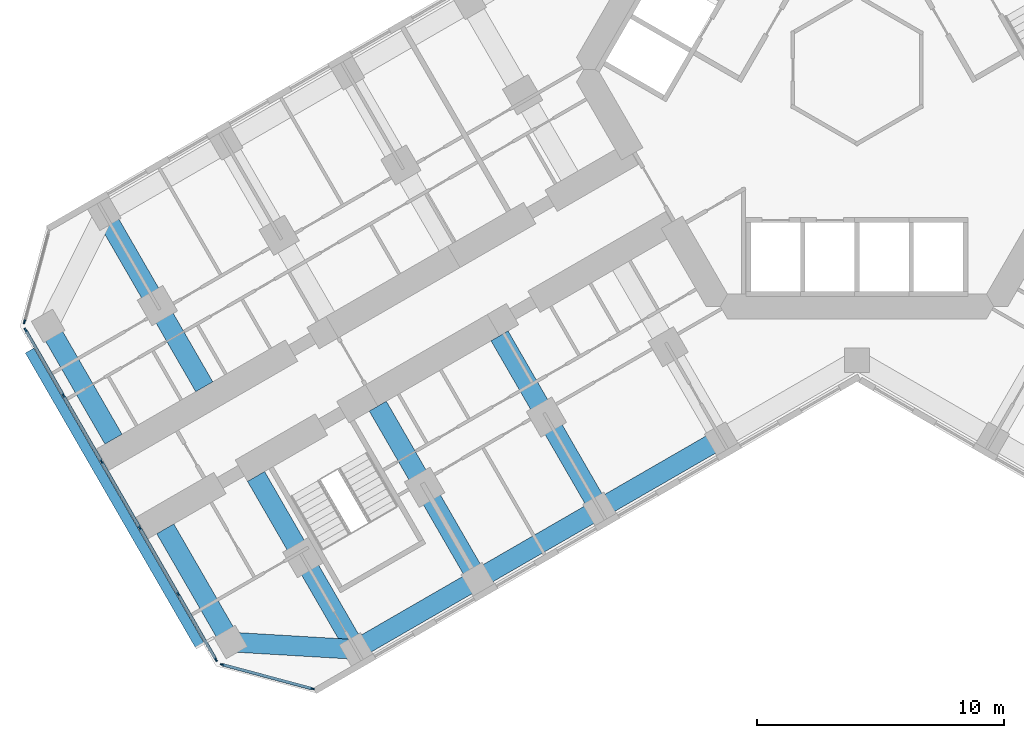
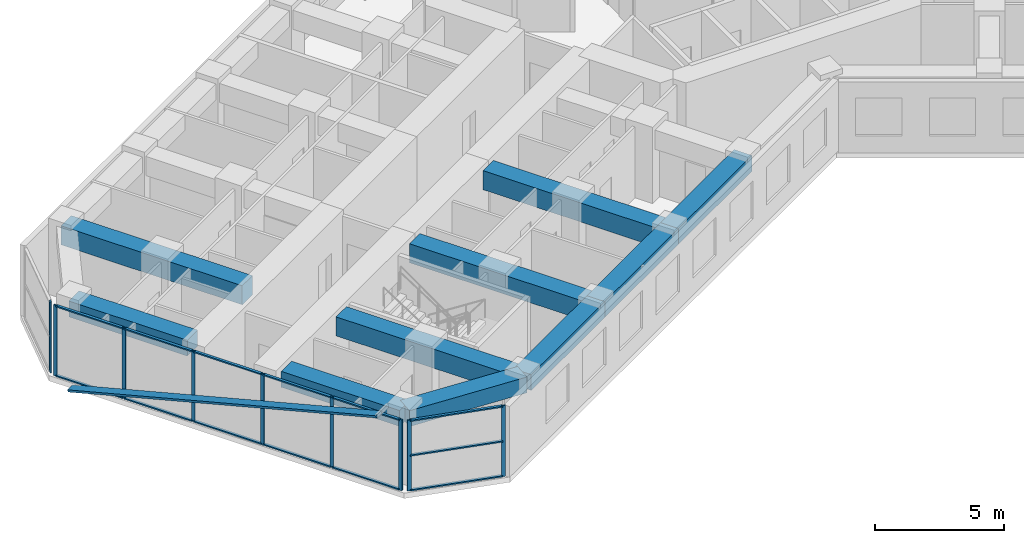
# One storey, part 2 of 21: 23 members, 10 beams, 3 elements without a shape of their own.
"""IFC4 building model written with IfcOpenShell, lengths in metres."""

import ifcopenshell
import ifcopenshell.guid

model = None  # the IFC model being written
_history = None  # IfcOwnerHistory: only IFC2X3 demands one
_inside = {}  # id of a spatial element -> (the spatial element, [elements in it])
_under = {}  # id of a project, library or spatial element -> (it, [spatial elements below it])
_declared = {}  # id of a project -> (the project, [libraries it declares])
_typed = {}  # id of a type object -> (the type object, [elements of that type])
_made_of = {}  # id of a material, layer set ... -> (it, [elements and type objects made of it])


def new_model(schema):
    """Start an empty IFC model of exactly this schema.

    Asked for "IFC4X3", IfcOpenShell would pick the latest addendum, in which some entities
    have other attributes; the version numbers below select the first issue.
    IFC2X3 requires an IfcOwnerHistory on every rooted entity: one is made here for all.
    """
    global model, _history
    if schema == "IFC4X3":
        model = ifcopenshell.file(schema_version=(4, 3, 0, 0))
    else:
        model = ifcopenshell.file(schema=schema)
    _inside.clear()
    _under.clear()
    _declared.clear()
    _typed.clear()
    _made_of.clear()
    _history = None
    if model.schema == "IFC2X3":
        org = make("IfcOrganization", Name="unknown")
        user = make(
            "IfcPersonAndOrganization",
            ThePerson=make("IfcPerson", FamilyName="unknown"),
            TheOrganization=org,
        )
        app = make(
            "IfcApplication",
            ApplicationDeveloper=org,
            Version="unknown",
            ApplicationFullName="unknown",
            ApplicationIdentifier="unknown",
        )
        _history = make(
            "IfcOwnerHistory",
            OwningUser=user,
            OwningApplication=app,
            ChangeAction="ADDED",
            CreationDate=0,
        )
    return model


def make(cls, **values):
    """One entity of the class cls with the attributes given. An attribute that is None is left unset."""
    return model.create_entity(
        cls, **{name: value for name, value in values.items() if value is not None}
    )


def rooted(cls, **values):
    """An entity with a GlobalId (a new one), such as an element, a storey or a relation."""
    return make(cls, GlobalId=ifcopenshell.guid.new(), OwnerHistory=_history, **values)


def si_unit(unit_type, name, prefix=None):
    """IfcSIUnit, for example si_unit("LENGTHUNIT", "METRE", prefix="MILLI")."""
    return make("IfcSIUnit", UnitType=unit_type, Prefix=prefix, Name=name)


def assignment(units):
    """IfcUnitAssignment: the units of a project."""
    return None if units is None else make("IfcUnitAssignment", Units=units)


def point(xyz):
    """IfcCartesianPoint."""
    return None if xyz is None else make("IfcCartesianPoint", Coordinates=xyz)


def direction(xyz):
    """IfcDirection."""
    return None if xyz is None else make("IfcDirection", DirectionRatios=xyz)


def frame(location, z_axis=None, x_axis=None):
    """IfcAxis2Placement3D, a coordinate frame: its origin and axes. An axis left out is left unset."""
    return make(
        "IfcAxis2Placement3D",
        Location=point(location),
        Axis=direction(z_axis),
        RefDirection=direction(x_axis),
    )


def frame_2d(location, x_axis=None):
    """IfcAxis2Placement2D, a coordinate frame in the plane: its origin and x axis."""
    return make(
        "IfcAxis2Placement2D", Location=point(location), RefDirection=direction(x_axis)
    )


def origin():
    """The frame at (0, 0, 0) with its axes left unset."""
    return frame((0.0, 0.0, 0.0))


def origin_2d():
    """The frame at (0, 0) in the plane with its x axis left unset."""
    return frame_2d((0.0, 0.0))


def place(relative_to, where):
    """IfcLocalPlacement: puts the frame where relative to a parent placement (None: the world)."""
    return make(
        "IfcLocalPlacement", PlacementRelTo=relative_to, RelativePlacement=where
    )


def context(
    kind, dimensions, precision=None, world=None, true_north=None, identifier=None
):
    """IfcGeometricRepresentationContext, for example the 3D "Model" context."""
    return make(
        "IfcGeometricRepresentationContext",
        ContextIdentifier=identifier,
        ContextType=kind,
        CoordinateSpaceDimension=dimensions,
        Precision=precision,
        WorldCoordinateSystem=world,
        TrueNorth=true_north,
    )


def subcontext(parent, identifier, kind, view, scale=None):
    """IfcGeometricRepresentationSubContext, for example "Body" below "Model"."""
    return make(
        "IfcGeometricRepresentationSubContext",
        ContextIdentifier=identifier,
        ContextType=kind,
        ParentContext=parent,
        TargetScale=scale,
        TargetView=view,
    )


def project(units=None, contexts=None):
    """IfcProject with its units and contexts."""
    return rooted(
        "IfcProject",
        Name="project",
        RepresentationContexts=contexts,
        UnitsInContext=assignment(units),
    )


def spatial(cls, under=None, at=None, **own):
    """A site, building, storey or space (cls), placed at a placement, below another one or the project."""
    s = rooted(cls, ObjectPlacement=at, **own)
    if under is not None:
        _under.setdefault(under.id(), (under, []))[1].append(s)
    return s


def profile(cls, at=None, kind="AREA", **sizes):
    """A parametric profile (cls). Its sizes go by their IFC names, for example OverallWidth=200.0."""
    return make(cls, ProfileType=kind, Position=at, **sizes)


def rectangle(**sizes):
    """IfcRectangleProfileDef."""
    return profile("IfcRectangleProfileDef", **sizes)


def extrude(swept, where, along, depth):
    """IfcExtrudedAreaSolid: the profile swept, set in the frame where, extruded along a direction by depth."""
    return make(
        "IfcExtrudedAreaSolid",
        SweptArea=swept,
        Position=where,
        ExtrudedDirection=direction(along),
        Depth=depth,
    )


def shape(context_of_items, identifier, shape_type, items):
    """IfcShapeRepresentation: the items that make up one representation, for example the "Body"."""
    return make(
        "IfcShapeRepresentation",
        ContextOfItems=context_of_items,
        RepresentationIdentifier=identifier,
        RepresentationType=shape_type,
        Items=items,
    )


def material(Name=None, Category=None):
    """IfcMaterial."""
    return make("IfcMaterial", Name=Name, Category=Category)


def material_profile(
    of_material, cross_section, Name=None, Category=None, Priority=None
):
    """IfcMaterialProfile: a cross section and its material."""
    return make(
        "IfcMaterialProfile",
        Name=Name,
        Material=of_material,
        Profile=cross_section,
        Priority=Priority,
        Category=Category,
    )


def profile_set(profiles, Name=None, composite=None):
    """IfcMaterialProfileSet."""
    return make(
        "IfcMaterialProfileSet",
        Name=Name,
        MaterialProfiles=profiles,
        CompositeProfile=composite,
    )


def made_of(thing, what):
    """Note that an element or type object is made of a material, layer set ...; save() writes the relation."""
    if what is not None:
        _made_of.setdefault(what.id(), (what, []))[1].append(thing)
    return thing


def type_object(cls, material=None, **own):
    """A type object (cls), such as IfcWallType, which elements share."""
    return made_of(rooted(cls, **own), material)


def element(
    cls,
    number,
    at=None,
    inside=None,
    cuts=None,
    type_object=None,
    material=None,
    context=None,
    identifier="Body",
    shape_type=None,
    held_by="IfcProductDefinitionShape",
    body=None,
    shapes=None,
    **own,
):
    """One element of the class cls, such as IfcWall. Its Tag is "e" and its number.

    at: its placement. inside: the storey or other place that contains it. cuts: it is an
    opening in that element (IfcRelVoidsElement). A single representation is given by context,
    identifier, shape_type and body (its items); several are given by shapes. held_by: the class
    of the entity that holds the representations. save() writes the other relations.
    """
    e = rooted(cls, Tag="e%d" % number, ObjectPlacement=at, **own)
    if body is not None:
        shapes = [shape(context, identifier, shape_type, body)]
    if shapes is not None:
        e.Representation = make(held_by, Representations=shapes)
    if inside is not None:
        _inside.setdefault(inside.id(), (inside, []))[1].append(e)
    if cuts is not None:
        rooted(
            "IfcRelVoidsElement", RelatingBuildingElement=cuts, RelatedOpeningElement=e
        )
    if type_object is not None:
        _typed.setdefault(type_object.id(), (type_object, []))[1].append(e)
    return made_of(e, material)


def aggregate(whole, parts):
    """IfcRelAggregates: a whole, such as a stair, and the parts it consists of."""
    return rooted("IfcRelAggregates", RelatingObject=whole, RelatedObjects=parts)


def save(model, path):
    """Write the relations noted so far, then the file.

    IfcRelAggregates (storeys below a building ...), IfcRelContainedInSpatialStructure (elements
    in a storey), IfcRelDefinesByType, IfcRelAssociatesMaterial and IfcRelDeclares: one each for
    every whole, place, type object, material and project.
    """
    for whole, parts in _under.values():
        aggregate(whole, parts)
    for where, things in _inside.values():
        rooted(
            "IfcRelContainedInSpatialStructure",
            RelatedElements=things,
            RelatingStructure=where,
        )
    for kind, things in _typed.values():
        rooted("IfcRelDefinesByType", RelatedObjects=things, RelatingType=kind)
    for what, things in _made_of.values():
        rooted("IfcRelAssociatesMaterial", RelatedObjects=things, RelatingMaterial=what)
    for by, libraries in _declared.values():
        rooted("IfcRelDeclares", RelatingContext=by, RelatedDefinitions=libraries)
    model.write(path)


model = new_model("IFC4")

# Units and contexts
model_context = context("Model", 3, precision=1e-05, world=origin(), true_north=direction((0.0, 1.0)))
body_context = subcontext(model_context, "Body", "Model", "MODEL_VIEW")
ifc_project = project(units=[si_unit("LENGTHUNIT", "METRE"), si_unit("AREAUNIT", "SQUARE_METRE"), si_unit("VOLUMEUNIT", "CUBIC_METRE"), si_unit("PLANEANGLEUNIT", "RADIAN"), si_unit("MASSUNIT", "GRAM", prefix="KILO")], contexts=[model_context])

# Site, building, storey
site_placement = place(None, origin())
site = spatial("IfcSite", under=ifc_project, at=site_placement, CompositionType="ELEMENT")
building_placement = place(site_placement, origin())
building = spatial("IfcBuilding", under=site, at=building_placement, Name="Kosmar Iwan School Tower", CompositionType="ELEMENT")
storey_placement = place(building_placement, frame((0.0, 0.0, 46.60009765625)))
storey = spatial("IfcBuildingStorey", under=building, at=storey_placement, Name="L10", CompositionType="ELEMENT", Elevation=46.60009765625)

# Member
ifc_material_1 = material(Name="Black anodised aluminium", Category="aluminium")
ifc_material_profile_1 = material_profile(ifc_material_1, rectangle(XDim=0.10009765625, YDim=0.39990234375, at=origin_2d()), Name="FIN 100x400")
ifc_profile_set_1 = profile_set([ifc_material_profile_1], Name="Black anodised aluminium")
member_type_1 = type_object("IfcMemberType", Name="Diagonal fin 100x400", PredefinedType="USERDEFINED", material=ifc_profile_set_1)
member_1_placement = place(storey_placement, frame((-33.54345703125, -11.40087890625, -0.150146484375), z_axis=(0.483793446988, -0.837970316603, 0.25248692866), x_axis=(-0.126241714543, 0.218661104574, 0.96760030532)))
element("IfcMember", 1, at=member_1_placement, inside=storey, type_object=member_type_1, Name="Diagonal fin L10-F13", ObjectType="FIN", PredefinedType="USERDEFINED", context=body_context, shape_type="SweptSolid", body=[
    extrude(rectangle(XDim=0.10009765625, YDim=0.39990234375, at=origin_2d()), origin(), (0.0, 0.0, 1.0), 14.258544921875),
])

# Curtain wall, member
ifc_material_2 = material(Name="Dark glass in black aluminium frame", Category="aluminium")
curtain_wall_type_1 = type_object("IfcCurtainWallType", Name="Chamfer curtain wall dark glass", PredefinedType="USERDEFINED", material=ifc_material_2)
curtain_wall_1_placement = place(storey_placement, origin())
curtain_wall_1 = element("IfcCurtainWall", 2, at=curtain_wall_1_placement, inside=storey, type_object=curtain_wall_type_1, Name="Curtain wall L10-F12", ObjectType="FACETED CURTAIN WALL", PredefinedType="USERDEFINED")
ifc_material_3 = material(Name="Black anodised aluminium", Category="aluminium")
ifc_material_profile_2 = material_profile(ifc_material_3, rectangle(XDim=0.06005859375, YDim=0.159912109375, at=origin_2d()), Name="MULLION 60x160")
ifc_profile_set_2 = profile_set([ifc_material_profile_2], Name="Black anodised aluminium")
member_type_2 = type_object("IfcMemberType", Name="Mullion 60x160", PredefinedType="MULLION", material=ifc_profile_set_2)
member_2_placement = place(storey_placement, frame((-33.7587890625, -10.2236328125, 0.0), z_axis=(0.0, 0.0, 1.0), x_axis=(0.965925875495, -0.258818861462, 0.0)))
member_2 = element("IfcMember", 3, at=member_2_placement, type_object=member_type_2, Name="CW2 mullion 2", PredefinedType="MULLION", context=body_context, shape_type="SweptSolid", body=[
    extrude(rectangle(XDim=0.06005859375, YDim=0.159912109375, at=origin_2d()), origin(), (0.0, 0.0, 1.0), 3.349853515625),
])
aggregate(curtain_wall_1, [member_2])

# Curtain wall, members
ifc_material_4 = material(Name="Dark glass in black aluminium frame", Category="aluminium")
curtain_wall_type_2 = type_object("IfcCurtainWallType", Name="Tower curtain wall dark glass", PredefinedType="USERDEFINED", material=ifc_material_4)
curtain_wall_2_placement = place(storey_placement, origin())
curtain_wall_2 = element("IfcCurtainWall", 4, at=curtain_wall_2_placement, inside=storey, type_object=curtain_wall_type_2, Name="Curtain wall L10-F13", ObjectType="UNITISED CURTAIN WALL", PredefinedType="USERDEFINED")
member_3_placement = place(storey_placement, frame((-33.71533203125, -10.55322265625, 0.0), z_axis=(0.0, 0.0, 1.0), x_axis=(0.866025405329, 0.499999997325, 0.0)))
member_3 = element("IfcMember", 5, at=member_3_placement, type_object=member_type_2, Name="CW1 mullion 1", PredefinedType="MULLION", context=body_context, shape_type="SweptSolid", body=[
    extrude(rectangle(XDim=0.06005859375, YDim=0.159912109375, at=origin_2d()), origin(), (0.0, 0.0, 1.0), 3.349853515625),
])
member_4_placement = place(storey_placement, frame((-32.1806640625, -13.21142578125, 0.0), z_axis=(0.0, 0.0, 1.0), x_axis=(0.866025405329, 0.499999997325, 0.0)))
member_4 = element("IfcMember", 6, at=member_4_placement, type_object=member_type_2, Name="CW1 mullion 2", PredefinedType="MULLION", context=body_context, shape_type="SweptSolid", body=[
    extrude(rectangle(XDim=0.06005859375, YDim=0.159912109375, at=origin_2d()), origin(), (0.0, 0.0, 1.0), 3.349853515625),
])
member_5_placement = place(storey_placement, frame((-30.631103515625, -15.8955078125, 0.0), z_axis=(0.0, 0.0, 1.0), x_axis=(0.866025405329, 0.499999997325, 0.0)))
member_5 = element("IfcMember", 7, at=member_5_placement, type_object=member_type_2, Name="CW1 mullion 3", PredefinedType="MULLION", context=body_context, shape_type="SweptSolid", body=[
    extrude(rectangle(XDim=0.06005859375, YDim=0.159912109375, at=origin_2d()), origin(), (0.0, 0.0, 1.0), 3.349853515625),
])
member_6_placement = place(storey_placement, frame((-29.081298828125, -18.57958984375, 0.0), z_axis=(0.0, 0.0, 1.0), x_axis=(0.866025405329, 0.499999997325, 0.0)))
member_6 = element("IfcMember", 8, at=member_6_placement, type_object=member_type_2, Name="CW1 mullion 4", PredefinedType="MULLION", context=body_context, shape_type="SweptSolid", body=[
    extrude(rectangle(XDim=0.06005859375, YDim=0.159912109375, at=origin_2d()), origin(), (0.0, 0.0, 1.0), 3.349853515625),
])
member_7_placement = place(storey_placement, frame((-27.53173828125, -21.263671875, 0.0), z_axis=(0.0, 0.0, 1.0), x_axis=(0.866025405329, 0.499999997325, 0.0)))
member_7 = element("IfcMember", 9, at=member_7_placement, type_object=member_type_2, Name="CW1 mullion 5", PredefinedType="MULLION", context=body_context, shape_type="SweptSolid", body=[
    extrude(rectangle(XDim=0.06005859375, YDim=0.159912109375, at=origin_2d()), origin(), (0.0, 0.0, 1.0), 3.349853515625),
])
member_8_placement = place(storey_placement, frame((-25.9970703125, -23.921630859375, 0.0), z_axis=(0.0, 0.0, 1.0), x_axis=(0.866025405329, 0.499999997325, 0.0)))
member_8 = element("IfcMember", 10, at=member_8_placement, type_object=member_type_2, Name="CW1 mullion 6", PredefinedType="MULLION", context=body_context, shape_type="SweptSolid", body=[
    extrude(rectangle(XDim=0.06005859375, YDim=0.159912109375, at=origin_2d()), origin(), (0.0, 0.0, 1.0), 3.349853515625),
])

curtain_wall_3_placement = place(storey_placement, origin())
curtain_wall_3 = element("IfcCurtainWall", 11, at=curtain_wall_3_placement, inside=storey, type_object=curtain_wall_type_1, Name="Curtain wall L10-F14", ObjectType="FACETED CURTAIN WALL", PredefinedType="USERDEFINED")
member_9_placement = place(storey_placement, frame((-25.733154296875, -24.124267578125, 0.0), z_axis=(0.0, 0.0, 1.0), x_axis=(0.258818861462, 0.965925875495, 0.0)))
member_9 = element("IfcMember", 12, at=member_9_placement, type_object=member_type_2, Name="CW2 mullion 1", PredefinedType="MULLION", context=body_context, shape_type="SweptSolid", body=[
    extrude(rectangle(XDim=0.06005859375, YDim=0.159912109375, at=origin_2d()), origin(), (0.0, 0.0, 1.0), 3.349853515625),
])
member_10_placement = place(storey_placement, frame((-22.0830078125, -25.102294921875, 0.0), z_axis=(0.0, 0.0, 1.0), x_axis=(0.258818861462, 0.965925875495, 0.0)))
member_10 = element("IfcMember", 13, at=member_10_placement, type_object=member_type_2, Name="CW2 mullion 2", PredefinedType="MULLION", context=body_context, shape_type="SweptSolid", body=[
    extrude(rectangle(XDim=0.06005859375, YDim=0.159912109375, at=origin_2d()), origin(), (0.0, 0.0, 1.0), 3.349853515625),
])

# Beams
ifc_material_5 = material(Name="Concrete C50/60", Category="concrete")
ifc_material_profile_3 = material_profile(ifc_material_5, rectangle(XDim=0.800048828125, YDim=0.75, at=origin_2d()), Name="RC 800x750")
ifc_profile_set_3 = profile_set([ifc_material_profile_3], Name="Concrete C50/60")
beam_type_1 = type_object("IfcBeamType", Name="RC edge beam 800x750", PredefinedType="BEAM", material=ifc_profile_set_3)
beam_1_placement = place(storey_placement, frame((-5.5087890625, -14.95849609375, 2.974853515625), z_axis=(-0.866033658841, -0.49998570155, 0.0), x_axis=(0.49998570155, -0.866033658841, 0.0)))
element("IfcBeam", 14, at=beam_1_placement, inside=storey, type_object=beam_type_1, Name="Edge beam BL2", PredefinedType="BEAM", context=body_context, shape_type="SweptSolid", body=[
    extrude(rectangle(XDim=0.800048828125, YDim=0.75, at=origin_2d()), origin(), (0.0, 0.0, 1.0), 5.699951171875),
])
beam_2_placement = place(storey_placement, frame((-10.445068359375, -17.808349609375, 2.974853515625), z_axis=(-0.866025820012, -0.499999279071, 0.0), x_axis=(0.499999279071, -0.866025820012, 0.0)))
element("IfcBeam", 15, at=beam_2_placement, inside=storey, type_object=beam_type_1, Name="Edge beam BL3", PredefinedType="BEAM", context=body_context, shape_type="SweptSolid", body=[
    extrude(rectangle(XDim=0.800048828125, YDim=0.75, at=origin_2d()), origin(), (0.0, 0.0, 1.0), 5.7001953125),
])
beam_3_placement = place(storey_placement, frame((-15.381591796875, -20.658447265625, 2.974853515625), z_axis=(-0.866015111908, -0.50001782563, 0.0), x_axis=(0.50001782563, -0.866015111908, 0.0)))
element("IfcBeam", 16, at=beam_3_placement, inside=storey, type_object=beam_type_1, Name="Edge beam BL4", PredefinedType="BEAM", context=body_context, shape_type="SweptSolid", body=[
    extrude(rectangle(XDim=0.800048828125, YDim=0.75, at=origin_2d()), origin(), (0.0, 0.0, 1.0), 5.699951171875),
])
ifc_material_6 = material(Name="Concrete C50/60", Category="concrete")
ifc_material_profile_4 = material_profile(ifc_material_6, rectangle(XDim=0.800048828125, YDim=0.75, at=origin_2d()), Name="RC 800x750")
ifc_profile_set_4 = profile_set([ifc_material_profile_4], Name="Concrete C50/60")
beam_type_2 = type_object("IfcBeamType", Name="RC tip beam 800x750", PredefinedType="BEAM", material=ifc_profile_set_4)
beam_4_placement = place(storey_placement, frame((-20.31787109375, -23.508544921875, 2.974853515625), z_axis=(-0.998260616478, 0.058955420358, 0.0), x_axis=(-0.058955420358, -0.998260616478, 0.0)))
element("IfcBeam", 17, at=beam_4_placement, inside=storey, type_object=beam_type_2, Name="Tip beam BL", PredefinedType="BEAM", context=body_context, shape_type="SweptSolid", body=[
    extrude(rectangle(XDim=0.800048828125, YDim=0.75, at=origin_2d()), origin(), (0.0, 0.0, 1.0), 5.08935546875),
])
beam_5_placement = place(storey_placement, frame((-25.3984375, -23.20849609375, 2.974853515625), z_axis=(-0.499993606316, 0.866029095148, 0.0), x_axis=(-0.866029095148, -0.499993606316, 0.0)))
element("IfcBeam", 18, at=beam_5_placement, inside=storey, type_object=beam_type_2, Name="Tip beam BL to corridor wall", PredefinedType="BEAM", context=body_context, shape_type="SweptSolid", body=[
    extrude(rectangle(XDim=0.800048828125, YDim=0.75, at=origin_2d()), origin(), (0.0, 0.0, 1.0), 5.2998046875),
])
beam_6_placement = place(storey_placement, frame((-32.79833984375, -10.391357421875, 2.974853515625), z_axis=(0.499973660256, -0.866040610509, 0.0), x_axis=(0.866040610509, 0.499973660256, 0.0)))
element("IfcBeam", 19, at=beam_6_placement, inside=storey, type_object=beam_type_2, Name="Tip beam BR to corridor wall", PredefinedType="BEAM", context=body_context, shape_type="SweptSolid", body=[
    extrude(rectangle(XDim=0.800048828125, YDim=0.75, at=origin_2d()), origin(), (0.0, 0.0, 1.0), 5.300048828125),
])
ifc_material_7 = material(Name="Concrete C50/60", Category="concrete")
ifc_material_profile_5 = material_profile(ifc_material_7, rectangle(XDim=0.800048828125, YDim=0.89990234375, at=origin_2d()), Name="RC 800x900")
ifc_profile_set_5 = profile_set([ifc_material_profile_5], Name="Concrete C50/60")
beam_type_3 = type_object("IfcBeamType", Name="RC transverse beam 800x900", PredefinedType="BEAM", material=ifc_profile_set_5)
beam_7_placement = place(storey_placement, frame((-10.445068359375, -17.808349609375, 2.89990234375), z_axis=(-0.500012932018, 0.866017937352, 0.0), x_axis=(-0.866017937352, -0.500012932018, 0.0)))
element("IfcBeam", 20, at=beam_7_placement, inside=storey, type_object=beam_type_3, Name="Transverse beam BL2", PredefinedType="BEAM", context=body_context, shape_type="SweptSolid", body=[
    extrude(rectangle(XDim=0.800048828125, YDim=0.89990234375, at=origin_2d()), origin(), (0.0, 0.0, 1.0), 8.099853515625),
])
for number, where, z_axis, x_axis, name in (
    (21, (-15.381591796875, -20.658447265625, 2.89990234375), (-0.499977274689, 0.866038523851, 0.0), (-0.866038523851, -0.499977274689, 0.0), "Transverse beam BL3"),
    (22, (-20.31787109375, -23.508544921875, 2.89990234375), (-0.499999880539, 0.866025472755, 0.0), (-0.866025472755, -0.499999880539, 0.0), "Transverse beam BL4"),
    (23, (-30.517822265625, -5.841552734375, 2.89990234375), (0.499999880539, -0.866025472755, 0.0), (0.866025472755, 0.499999880539, 0.0), "Transverse beam BR4"),
):
    element("IfcBeam", number, at=place(storey_placement, frame(where, z_axis=z_axis, x_axis=x_axis)), inside=storey, type_object=beam_type_3, Name=name, PredefinedType="BEAM", context=body_context, shape_type="SweptSolid", body=[
        extrude(rectangle(XDim=0.800048828125, YDim=0.89990234375, at=origin_2d()), origin(), (0.0, 0.0, 1.0), 8.10009765625),
    ])

# Member
ifc_material_8 = material(Name="Black anodised aluminium", Category="aluminium")
ifc_material_profile_6 = material_profile(ifc_material_8, rectangle(XDim=0.1201171875, YDim=0.06005859375, at=origin_2d()), Name="TRANSOM 60x120")
ifc_profile_set_6 = profile_set([ifc_material_profile_6], Name="Black anodised aluminium")
member_type_3 = type_object("IfcMemberType", Name="Transom 60x120", PredefinedType="USERDEFINED", material=ifc_profile_set_6)
member_11_placement = place(storey_placement, frame((-33.700439453125, -10.579345703125, 0.02978515625), z_axis=(0.500022102064, -0.866012642776, 0.0), x_axis=(0.866012642776, 0.500022102064, 0.0)))
member_11 = element("IfcMember", 24, at=member_11_placement, type_object=member_type_3, Name="CW1 transom 1.1", ObjectType="TRANSOM", PredefinedType="USERDEFINED", context=body_context, shape_type="SweptSolid", body=[
    extrude(rectangle(XDim=0.1201171875, YDim=0.06005859375, at=origin_2d()), origin(), (0.0, 0.0, 1.0), 3.009033203125),
])

member_12_placement = place(storey_placement, frame((-33.700439453125, -10.579345703125, 3.31982421875), z_axis=(0.500022102064, -0.866012642776, 0.0), x_axis=(0.866012642776, 0.500022102064, 0.0)))
member_12 = element("IfcMember", 25, at=member_12_placement, type_object=member_type_3, Name="CW1 transom 1.2", ObjectType="TRANSOM", PredefinedType="USERDEFINED", context=body_context, shape_type="SweptSolid", body=[
    extrude(rectangle(XDim=0.1201171875, YDim=0.06005859375, at=origin_2d()), origin(), (0.0, 0.0, 1.0), 3.009033203125),
])

member_13_placement = place(storey_placement, frame((-32.165771484375, -13.2373046875, 0.02978515625), z_axis=(0.500035348339, -0.866004994449, 0.0), x_axis=(0.866004994449, 0.500035348339, 0.0)))
member_13 = element("IfcMember", 26, at=member_13_placement, type_object=member_type_3, Name="CW1 transom 2.1", ObjectType="TRANSOM", PredefinedType="USERDEFINED", context=body_context, shape_type="SweptSolid", body=[
    extrude(rectangle(XDim=0.1201171875, YDim=0.06005859375, at=origin_2d()), origin(), (0.0, 0.0, 1.0), 3.039306640625),
])

member_14_placement = place(storey_placement, frame((-32.165771484375, -13.2373046875, 3.31982421875), z_axis=(0.500035348339, -0.866004994449, 0.0), x_axis=(0.866004994449, 0.500035348339, 0.0)))
member_14 = element("IfcMember", 27, at=member_14_placement, type_object=member_type_3, Name="CW1 transom 2.2", ObjectType="TRANSOM", PredefinedType="USERDEFINED", context=body_context, shape_type="SweptSolid", body=[
    extrude(rectangle(XDim=0.1201171875, YDim=0.06005859375, at=origin_2d()), origin(), (0.0, 0.0, 1.0), 3.039306640625),
])

member_15_placement = place(storey_placement, frame((-30.615966796875, -15.92138671875, 0.02978515625), z_axis=(0.499975102327, -0.866039777986, 0.0), x_axis=(0.866039777986, 0.499975102327, 0.0)))
member_15 = element("IfcMember", 28, at=member_15_placement, type_object=member_type_3, Name="CW1 transom 3.1", ObjectType="TRANSOM", PredefinedType="USERDEFINED", context=body_context, shape_type="SweptSolid", body=[
    extrude(rectangle(XDim=0.1201171875, YDim=0.06005859375, at=origin_2d()), origin(), (0.0, 0.0, 1.0), 3.039306640625),
])

member_16_placement = place(storey_placement, frame((-30.615966796875, -15.92138671875, 3.31982421875), z_axis=(0.499975102327, -0.866039777986, 0.0), x_axis=(0.866039777986, 0.499975102327, 0.0)))
member_16 = element("IfcMember", 29, at=member_16_placement, type_object=member_type_3, Name="CW1 transom 3.2", ObjectType="TRANSOM", PredefinedType="USERDEFINED", context=body_context, shape_type="SweptSolid", body=[
    extrude(rectangle(XDim=0.1201171875, YDim=0.06005859375, at=origin_2d()), origin(), (0.0, 0.0, 1.0), 3.039306640625),
])

member_17_placement = place(storey_placement, frame((-29.06640625, -18.60546875, 0.02978515625), z_axis=(0.499975102327, -0.866039777986, 0.0), x_axis=(0.866039777986, 0.499975102327, 0.0)))
member_17 = element("IfcMember", 30, at=member_17_placement, type_object=member_type_3, Name="CW1 transom 4.1", ObjectType="TRANSOM", PredefinedType="USERDEFINED", context=body_context, shape_type="SweptSolid", body=[
    extrude(rectangle(XDim=0.1201171875, YDim=0.06005859375, at=origin_2d()), origin(), (0.0, 0.0, 1.0), 3.039306640625),
])

member_18_placement = place(storey_placement, frame((-29.06640625, -18.60546875, 3.31982421875), z_axis=(0.499975102327, -0.866039777986, 0.0), x_axis=(0.866039777986, 0.499975102327, 0.0)))
member_18 = element("IfcMember", 31, at=member_18_placement, type_object=member_type_3, Name="CW1 transom 4.2", ObjectType="TRANSOM", PredefinedType="USERDEFINED", context=body_context, shape_type="SweptSolid", body=[
    extrude(rectangle(XDim=0.1201171875, YDim=0.06005859375, at=origin_2d()), origin(), (0.0, 0.0, 1.0), 3.039306640625),
])

member_19_placement = place(storey_placement, frame((-27.516845703125, -21.28955078125, 0.02978515625), z_axis=(0.499986971506, -0.866032925658, 0.0), x_axis=(0.866032925658, 0.499986971506, 0.0)))
member_19 = element("IfcMember", 32, at=member_19_placement, type_object=member_type_3, Name="CW1 transom 5.1", ObjectType="TRANSOM", PredefinedType="USERDEFINED", context=body_context, shape_type="SweptSolid", body=[
    extrude(rectangle(XDim=0.1201171875, YDim=0.06005859375, at=origin_2d()), origin(), (0.0, 0.0, 1.0), 3.00927734375),
])

member_20_placement = place(storey_placement, frame((-27.516845703125, -21.28955078125, 3.31982421875), z_axis=(0.499986971506, -0.866032925658, 0.0), x_axis=(0.866032925658, 0.499986971506, 0.0)))
member_20 = element("IfcMember", 33, at=member_20_placement, type_object=member_type_3, Name="CW1 transom 5.2", ObjectType="TRANSOM", PredefinedType="USERDEFINED", context=body_context, shape_type="SweptSolid", body=[
    extrude(rectangle(XDim=0.1201171875, YDim=0.06005859375, at=origin_2d()), origin(), (0.0, 0.0, 1.0), 3.00927734375),
])

aggregate(curtain_wall_2, [member_3, member_4, member_5, member_6, member_7, member_8, member_11, member_12, member_13, member_14, member_15, member_16, member_17, member_18, member_19, member_20])

member_21_placement = place(storey_placement, frame((-25.704345703125, -24.1318359375, 0.02978515625), z_axis=(0.965923731726, -0.258826861991, 0.0), x_axis=(0.258826861991, 0.965923731726, 0.0)))
member_21 = element("IfcMember", 34, at=member_21_placement, type_object=member_type_3, Name="CW2 transom 1.1", ObjectType="TRANSOM", PredefinedType="USERDEFINED", context=body_context, shape_type="SweptSolid", body=[
    extrude(rectangle(XDim=0.1201171875, YDim=0.06005859375, at=origin_2d()), origin(), (0.0, 0.0, 1.0), 3.71923828125),
])

member_22_placement = place(storey_placement, frame((-25.704345703125, -24.1318359375, 1.6748046875), z_axis=(0.965923731726, -0.258826861991, 0.0), x_axis=(0.258826861991, 0.965923731726, 0.0)))
member_22 = element("IfcMember", 35, at=member_22_placement, type_object=member_type_3, Name="CW2 transom 1.2", ObjectType="TRANSOM", PredefinedType="USERDEFINED", context=body_context, shape_type="SweptSolid", body=[
    extrude(rectangle(XDim=0.1201171875, YDim=0.06005859375, at=origin_2d()), origin(), (0.0, 0.0, 1.0), 3.71923828125),
])

member_23_placement = place(storey_placement, frame((-25.704345703125, -24.1318359375, 3.31982421875), z_axis=(0.965923731726, -0.258826861991, 0.0), x_axis=(0.258826861991, 0.965923731726, 0.0)))
member_23 = element("IfcMember", 36, at=member_23_placement, type_object=member_type_3, Name="CW2 transom 1.3", ObjectType="TRANSOM", PredefinedType="USERDEFINED", context=body_context, shape_type="SweptSolid", body=[
    extrude(rectangle(XDim=0.1201171875, YDim=0.06005859375, at=origin_2d()), origin(), (0.0, 0.0, 1.0), 3.71923828125),
])

aggregate(curtain_wall_3, [member_9, member_10, member_21, member_22, member_23])

save(model, "model.ifc")
